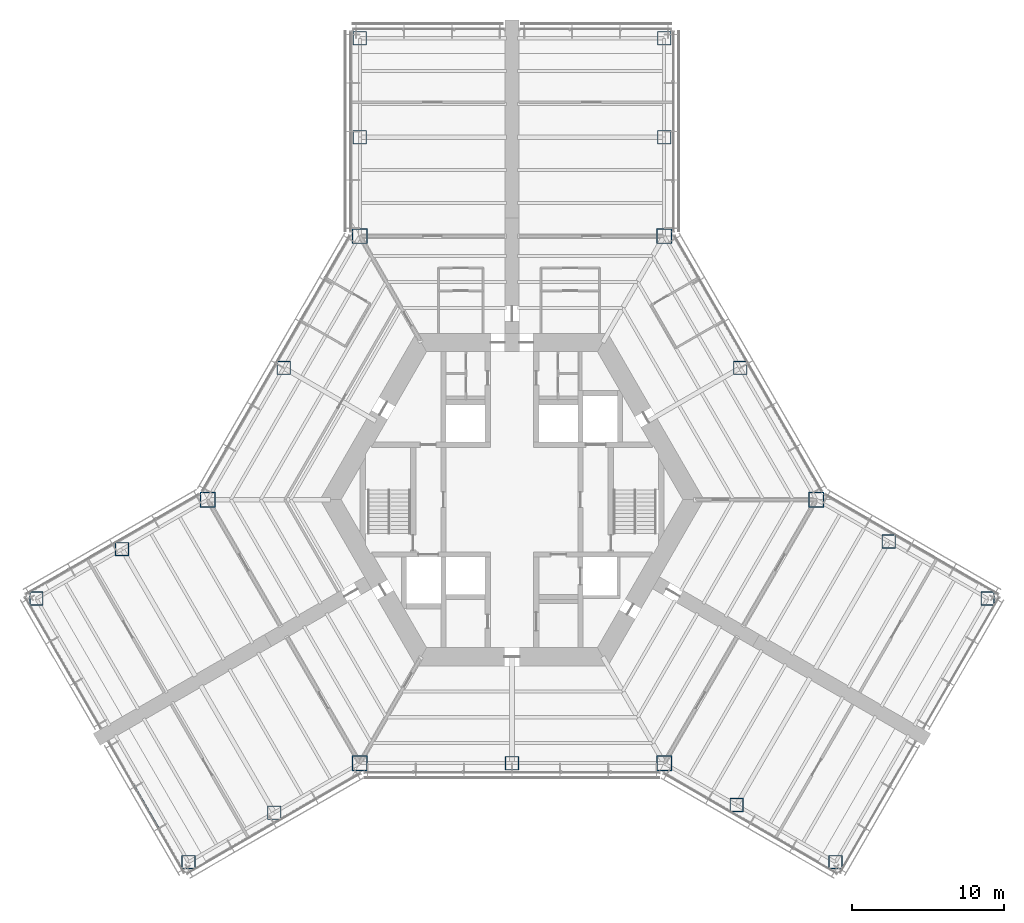
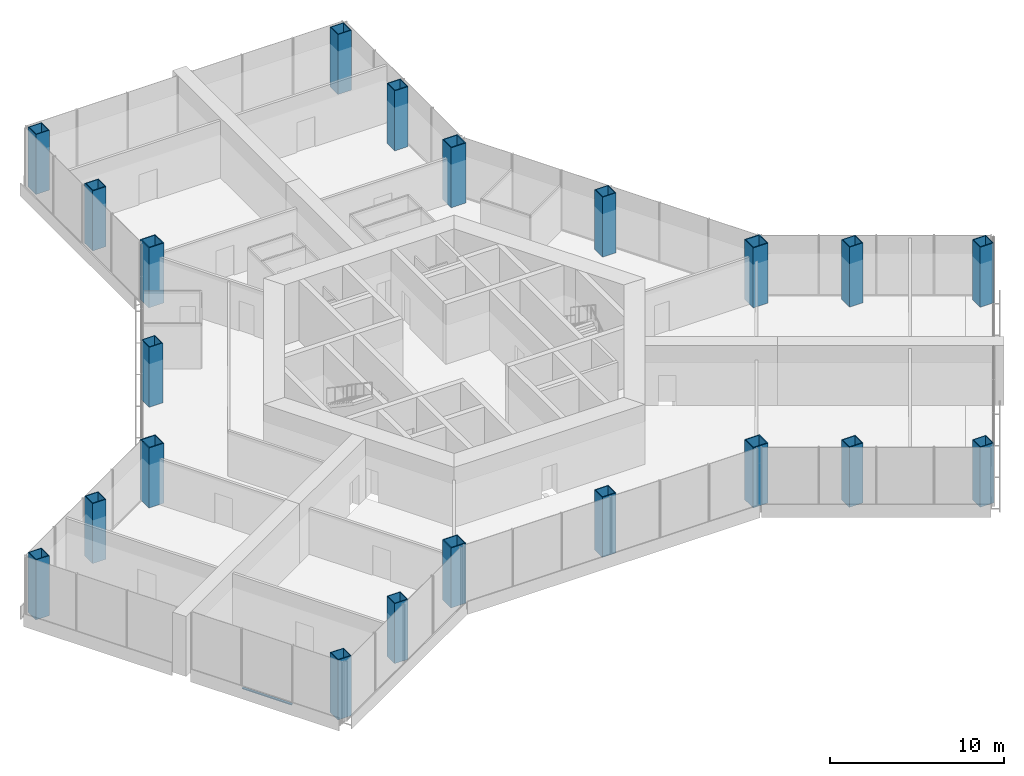
# One storey, part 1 of 16: 21 columns, 1 member, 1 element without a shape of its own.
"""IFC4 building model written with IfcOpenShell, lengths in metres."""

import ifcopenshell
import ifcopenshell.guid

model = None  # the IFC model being written
_history = None  # IfcOwnerHistory: only IFC2X3 demands one
_inside = {}  # id of a spatial element -> (the spatial element, [elements in it])
_under = {}  # id of a project, library or spatial element -> (it, [spatial elements below it])
_declared = {}  # id of a project -> (the project, [libraries it declares])
_typed = {}  # id of a type object -> (the type object, [elements of that type])
_made_of = {}  # id of a material, layer set ... -> (it, [elements and type objects made of it])


def new_model(schema):
    """Start an empty IFC model of exactly this schema.

    Asked for "IFC4X3", IfcOpenShell would pick the latest addendum, in which some entities
    have other attributes; the version numbers below select the first issue.
    IFC2X3 requires an IfcOwnerHistory on every rooted entity: one is made here for all.
    """
    global model, _history
    if schema == "IFC4X3":
        model = ifcopenshell.file(schema_version=(4, 3, 0, 0))
    else:
        model = ifcopenshell.file(schema=schema)
    _inside.clear()
    _under.clear()
    _declared.clear()
    _typed.clear()
    _made_of.clear()
    _history = None
    if model.schema == "IFC2X3":
        org = make("IfcOrganization", Name="unknown")
        user = make(
            "IfcPersonAndOrganization",
            ThePerson=make("IfcPerson", FamilyName="unknown"),
            TheOrganization=org,
        )
        app = make(
            "IfcApplication",
            ApplicationDeveloper=org,
            Version="unknown",
            ApplicationFullName="unknown",
            ApplicationIdentifier="unknown",
        )
        _history = make(
            "IfcOwnerHistory",
            OwningUser=user,
            OwningApplication=app,
            ChangeAction="ADDED",
            CreationDate=0,
        )
    return model


def make(cls, **values):
    """One entity of the class cls with the attributes given. An attribute that is None is left unset."""
    return model.create_entity(
        cls, **{name: value for name, value in values.items() if value is not None}
    )


def rooted(cls, **values):
    """An entity with a GlobalId (a new one), such as an element, a storey or a relation."""
    return make(cls, GlobalId=ifcopenshell.guid.new(), OwnerHistory=_history, **values)


def si_unit(unit_type, name, prefix=None):
    """IfcSIUnit, for example si_unit("LENGTHUNIT", "METRE", prefix="MILLI")."""
    return make("IfcSIUnit", UnitType=unit_type, Prefix=prefix, Name=name)


def assignment(units):
    """IfcUnitAssignment: the units of a project."""
    return None if units is None else make("IfcUnitAssignment", Units=units)


def point(xyz):
    """IfcCartesianPoint."""
    return None if xyz is None else make("IfcCartesianPoint", Coordinates=xyz)


def direction(xyz):
    """IfcDirection."""
    return None if xyz is None else make("IfcDirection", DirectionRatios=xyz)


def frame(location, z_axis=None, x_axis=None):
    """IfcAxis2Placement3D, a coordinate frame: its origin and axes. An axis left out is left unset."""
    return make(
        "IfcAxis2Placement3D",
        Location=point(location),
        Axis=direction(z_axis),
        RefDirection=direction(x_axis),
    )


def frame_2d(location, x_axis=None):
    """IfcAxis2Placement2D, a coordinate frame in the plane: its origin and x axis."""
    return make(
        "IfcAxis2Placement2D", Location=point(location), RefDirection=direction(x_axis)
    )


def origin():
    """The frame at (0, 0, 0) with its axes left unset."""
    return frame((0.0, 0.0, 0.0))


def origin_2d():
    """The frame at (0, 0) in the plane with its x axis left unset."""
    return frame_2d((0.0, 0.0))


def place(relative_to, where):
    """IfcLocalPlacement: puts the frame where relative to a parent placement (None: the world)."""
    return make(
        "IfcLocalPlacement", PlacementRelTo=relative_to, RelativePlacement=where
    )


def context(
    kind, dimensions, precision=None, world=None, true_north=None, identifier=None
):
    """IfcGeometricRepresentationContext, for example the 3D "Model" context."""
    return make(
        "IfcGeometricRepresentationContext",
        ContextIdentifier=identifier,
        ContextType=kind,
        CoordinateSpaceDimension=dimensions,
        Precision=precision,
        WorldCoordinateSystem=world,
        TrueNorth=true_north,
    )


def subcontext(parent, identifier, kind, view, scale=None):
    """IfcGeometricRepresentationSubContext, for example "Body" below "Model"."""
    return make(
        "IfcGeometricRepresentationSubContext",
        ContextIdentifier=identifier,
        ContextType=kind,
        ParentContext=parent,
        TargetScale=scale,
        TargetView=view,
    )


def project(units=None, contexts=None):
    """IfcProject with its units and contexts."""
    return rooted(
        "IfcProject",
        Name="project",
        RepresentationContexts=contexts,
        UnitsInContext=assignment(units),
    )


def spatial(cls, under=None, at=None, **own):
    """A site, building, storey or space (cls), placed at a placement, below another one or the project."""
    s = rooted(cls, ObjectPlacement=at, **own)
    if under is not None:
        _under.setdefault(under.id(), (under, []))[1].append(s)
    return s


def profile(cls, at=None, kind="AREA", **sizes):
    """A parametric profile (cls). Its sizes go by their IFC names, for example OverallWidth=200.0."""
    return make(cls, ProfileType=kind, Position=at, **sizes)


def rectangle(**sizes):
    """IfcRectangleProfileDef."""
    return profile("IfcRectangleProfileDef", **sizes)


def hollow_rectangle(**sizes):
    """IfcRectangleHollowProfileDef."""
    return profile("IfcRectangleHollowProfileDef", **sizes)


def extrude(swept, where, along, depth):
    """IfcExtrudedAreaSolid: the profile swept, set in the frame where, extruded along a direction by depth."""
    return make(
        "IfcExtrudedAreaSolid",
        SweptArea=swept,
        Position=where,
        ExtrudedDirection=direction(along),
        Depth=depth,
    )


def shape(context_of_items, identifier, shape_type, items):
    """IfcShapeRepresentation: the items that make up one representation, for example the "Body"."""
    return make(
        "IfcShapeRepresentation",
        ContextOfItems=context_of_items,
        RepresentationIdentifier=identifier,
        RepresentationType=shape_type,
        Items=items,
    )


def material(Name=None, Category=None):
    """IfcMaterial."""
    return make("IfcMaterial", Name=Name, Category=Category)


def material_profile(
    of_material, cross_section, Name=None, Category=None, Priority=None
):
    """IfcMaterialProfile: a cross section and its material."""
    return make(
        "IfcMaterialProfile",
        Name=Name,
        Material=of_material,
        Profile=cross_section,
        Priority=Priority,
        Category=Category,
    )


def profile_set(profiles, Name=None, composite=None):
    """IfcMaterialProfileSet."""
    return make(
        "IfcMaterialProfileSet",
        Name=Name,
        MaterialProfiles=profiles,
        CompositeProfile=composite,
    )


def made_of(thing, what):
    """Note that an element or type object is made of a material, layer set ...; save() writes the relation."""
    if what is not None:
        _made_of.setdefault(what.id(), (what, []))[1].append(thing)
    return thing


def type_object(cls, material=None, **own):
    """A type object (cls), such as IfcWallType, which elements share."""
    return made_of(rooted(cls, **own), material)


def element(
    cls,
    number,
    at=None,
    inside=None,
    cuts=None,
    type_object=None,
    material=None,
    context=None,
    identifier="Body",
    shape_type=None,
    held_by="IfcProductDefinitionShape",
    body=None,
    shapes=None,
    **own,
):
    """One element of the class cls, such as IfcWall. Its Tag is "e" and its number.

    at: its placement. inside: the storey or other place that contains it. cuts: it is an
    opening in that element (IfcRelVoidsElement). A single representation is given by context,
    identifier, shape_type and body (its items); several are given by shapes. held_by: the class
    of the entity that holds the representations. save() writes the other relations.
    """
    e = rooted(cls, Tag="e%d" % number, ObjectPlacement=at, **own)
    if body is not None:
        shapes = [shape(context, identifier, shape_type, body)]
    if shapes is not None:
        e.Representation = make(held_by, Representations=shapes)
    if inside is not None:
        _inside.setdefault(inside.id(), (inside, []))[1].append(e)
    if cuts is not None:
        rooted(
            "IfcRelVoidsElement", RelatingBuildingElement=cuts, RelatedOpeningElement=e
        )
    if type_object is not None:
        _typed.setdefault(type_object.id(), (type_object, []))[1].append(e)
    return made_of(e, material)


def aggregate(whole, parts):
    """IfcRelAggregates: a whole, such as a stair, and the parts it consists of."""
    return rooted("IfcRelAggregates", RelatingObject=whole, RelatedObjects=parts)


def save(model, path):
    """Write the relations noted so far, then the file.

    IfcRelAggregates (storeys below a building ...), IfcRelContainedInSpatialStructure (elements
    in a storey), IfcRelDefinesByType, IfcRelAssociatesMaterial and IfcRelDeclares: one each for
    every whole, place, type object, material and project.
    """
    for whole, parts in _under.values():
        aggregate(whole, parts)
    for where, things in _inside.values():
        rooted(
            "IfcRelContainedInSpatialStructure",
            RelatedElements=things,
            RelatingStructure=where,
        )
    for kind, things in _typed.values():
        rooted("IfcRelDefinesByType", RelatedObjects=things, RelatingType=kind)
    for what, things in _made_of.values():
        rooted("IfcRelAssociatesMaterial", RelatedObjects=things, RelatingMaterial=what)
    for by, libraries in _declared.values():
        rooted("IfcRelDeclares", RelatingContext=by, RelatedDefinitions=libraries)
    model.write(path)


model = new_model("IFC4")

# Units and contexts
model_context = context("Model", 3, precision=1e-05, world=origin(), true_north=direction((0.0, 1.0)))
body_context = subcontext(model_context, "Body", "Model", "MODEL_VIEW")
ifc_project = project(units=[si_unit("LENGTHUNIT", "METRE"), si_unit("AREAUNIT", "SQUARE_METRE"), si_unit("VOLUMEUNIT", "CUBIC_METRE"), si_unit("PLANEANGLEUNIT", "RADIAN"), si_unit("MASSUNIT", "GRAM", prefix="KILO")], contexts=[model_context])

# Site, building, storey
site_placement = place(None, origin())
site = spatial("IfcSite", under=ifc_project, at=site_placement, CompositionType="ELEMENT")
building_placement = place(site_placement, origin())
building = spatial("IfcBuilding", under=site, at=building_placement, Name="Kasaneha Research Tower", CompositionType="ELEMENT")
storey_placement = place(building_placement, frame((0.0, 0.0, 10.0)))
storey = spatial("IfcBuildingStorey", under=building, at=storey_placement, Name="L03", CompositionType="ELEMENT", Elevation=10.0)

# Columns
ifc_material_1 = material(Name="Steel SN490C", Category="steel")
ifc_material_profile_1 = material_profile(ifc_material_1, hollow_rectangle(XDim=1.0, YDim=1.0, WallThickness=0.06005859375, at=origin_2d()), Name="BOX-1000x1000x60")
ifc_profile_set_1 = profile_set([ifc_material_profile_1], Name="Steel SN490C")
column_type_1 = type_object("IfcColumnType", Name="C1A column BOX-1000x1000x60", PredefinedType="COLUMN", material=ifc_profile_set_1)
for number, where, z_axis, x_axis, name in (
    (1, (20.0, 0.0, 0.0), (0.0, 0.0, 1.0), (1.0, 0.0, 0.0), "Column V0 L03"),
    (2, (10.0, 17.320556640625, 0.0), (0.0, 0.0, 1.0), (1.0, 0.0, 0.0), "Column V1 L03"),
    (3, (-10.0, 17.320556640625, 0.0), (0.0, 0.0, 1.0), (1.0, 0.0, 0.0), "Column V2 L03"),
    (4, (-20.0, 0.0, 0.0), (0.0, 0.0, 1.0), (1.0, 0.0, 0.0), "Column V3 L03"),
    (5, (-10.0, -17.320556640625, 0.0), (0.0, 0.0, 1.0), (1.0, 0.0, 0.0), "Column V4 L03"),
    (6, (10.0, -17.320556640625, 0.0), (0.0, 0.0, 1.0), (1.0, 0.0, 0.0), "Column V5 L03"),
):
    element("IfcColumn", number, at=place(storey_placement, frame(where, z_axis=z_axis, x_axis=x_axis)), inside=storey, type_object=column_type_1, Name=name, PredefinedType="COLUMN", context=body_context, shape_type="SweptSolid", body=[
        extrude(hollow_rectangle(XDim=1.0, YDim=1.0, WallThickness=0.06005859375, at=origin_2d()), origin(), (0.0, 0.0, 1.0), 4.199951171875),
    ])
ifc_material_2 = material(Name="Steel SN490C", Category="steel")
ifc_material_profile_2 = material_profile(ifc_material_2, hollow_rectangle(XDim=0.89990234375, YDim=0.89990234375, WallThickness=0.050048828125, at=origin_2d()), Name="BOX-900x900x50")
ifc_profile_set_2 = profile_set([ifc_material_profile_2], Name="Steel SN490C")
column_type_2 = type_object("IfcColumnType", Name="C1B column BOX-900x900x50", PredefinedType="COLUMN", material=ifc_profile_set_2)
for number, where, z_axis, x_axis, name in (
    (7, (15.0, 8.66015625, 0.0), (0.0, 0.0, 1.0), (1.0, 0.0, 0.0), "Column M030 L03"),
    (8, (-15.0, 8.66015625, 0.0), (0.0, 0.0, 1.0), (1.0, 0.0, 0.0), "Column M150 L03"),
    (9, (0.0, -17.320556640625, 0.0), (0.0, 0.0, 1.0), (1.0, 0.0, 0.0), "Column M270 L03"),
    (10, (10.0, 23.820556640625, 0.0), (0.0, 0.0, 1.0), (1.0, 0.0, 0.0), "Column ASP L03"),
    (11, (10.0, 30.320556640625, 0.0), (0.0, 0.0, 1.0), (1.0, 0.0, 0.0), "Column ATP L03"),
    (12, (-10.0, 23.820556640625, 0.0), (0.0, 0.0, 1.0), (1.0, 0.0, 0.0), "Column ASN L03"),
    (13, (-10.0, 30.320556640625, 0.0), (0.0, 0.0, 1.0), (1.0, 0.0, 0.0), "Column ATN L03"),
    (14, (-25.629150390625, -3.25, 0.0), (0.0, 0.0, 1.0), (1.0, 0.0, 0.0), "Column BSP L03"),
    (15, (-31.25830078125, -6.5, 0.0), (0.0, 0.0, 1.0), (1.0, 0.0, 0.0), "Column BTP L03"),
    (16, (-15.629150390625, -20.570556640625, 0.0), (0.0, 0.0, 1.0), (1.0, 0.0, 0.0), "Column BSN L03"),
    (17, (-21.25830078125, -23.820556640625, 0.0), (0.0, 0.0, 1.0), (1.0, 0.0, 0.0), "Column BTN L03"),
    (18, (14.76318359375, -20.070556640625, 0.0), (0.0, 0.0, 1.0), (1.0, 0.0, 0.0), "Column CSP L03"),
    (19, (21.25830078125, -23.820556640625, 0.0), (0.0, 0.0, 1.0), (1.0, 0.0, 0.0), "Column CTP L03"),
    (20, (24.76318359375, -2.75, 0.0), (0.0, 0.0, 1.0), (1.0, 0.0, 0.0), "Column CSN L03"),
    (21, (31.25830078125, -6.5, 0.0), (0.0, 0.0, 1.0), (1.0, 0.0, 0.0), "Column CTN L03"),
):
    element("IfcColumn", number, at=place(storey_placement, frame(where, z_axis=z_axis, x_axis=x_axis)), inside=storey, type_object=column_type_2, Name=name, PredefinedType="COLUMN", context=body_context, shape_type="SweptSolid", body=[
        extrude(hollow_rectangle(XDim=0.89990234375, YDim=0.89990234375, WallThickness=0.050048828125, at=origin_2d()), origin(), (0.0, 0.0, 1.0), 4.199951171875),
    ])

# Curtain wall, member
ifc_material_3 = material(Name="Glass and aluminium", Category="aluminium")
curtain_wall_type = type_object("IfcCurtainWallType", Name="Wet laboratory curtain wall", PredefinedType="USERDEFINED", material=ifc_material_3)
curtain_wall_placement = place(storey_placement, origin())
curtain_wall = element("IfcCurtainWall", 22, at=curtain_wall_placement, inside=storey, type_object=curtain_wall_type, Name="CW-L1 L03 run 15a", ObjectType="UNITISED CURTAIN WALL", PredefinedType="USERDEFINED")
ifc_material_4 = material(Name="Aluminium 6063-T6", Category="aluminium")
ifc_material_profile_3 = material_profile(ifc_material_4, rectangle(XDim=0.139892578125, YDim=0.06494140625, at=origin_2d()), Name="CW-L1 transom 140x65")
ifc_profile_set_3 = profile_set([ifc_material_profile_3], Name="Aluminium 6063-T6")
member_type = type_object("IfcMemberType", Name="CW-L1 transom", PredefinedType="USERDEFINED", material=ifc_profile_set_3)
member_placement = place(storey_placement, frame((-24.86181640625, -18.779296875, 0.032470703125), z_axis=(0.50000765355, -0.86602098496, 0.0), x_axis=(0.86602098496, 0.50000765355, 0.0)))
member = element("IfcMember", 23, at=member_placement, type_object=member_type, Name="CW-L1 transom 2", ObjectType="TRANSOM", PredefinedType="USERDEFINED", context=body_context, shape_type="SweptSolid", body=[
    extrude(rectangle(XDim=0.139892578125, YDim=0.06494140625, at=origin_2d()), origin(), (0.0, 0.0, 1.0), 3.28515625),
])
aggregate(curtain_wall, [member])

save(model, "model.ifc")
